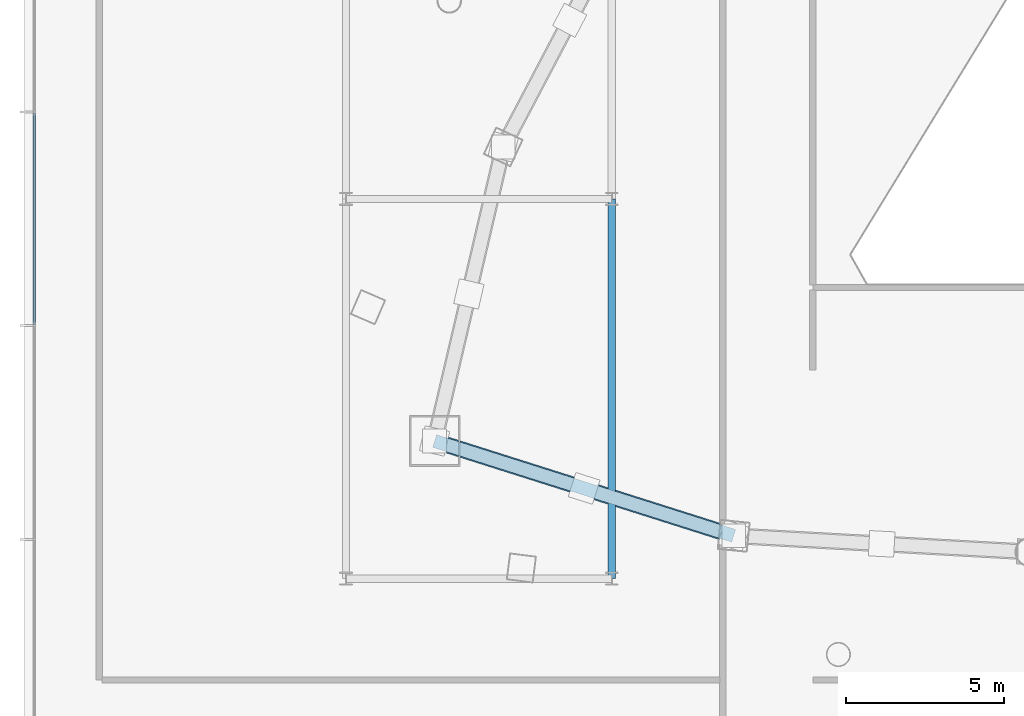
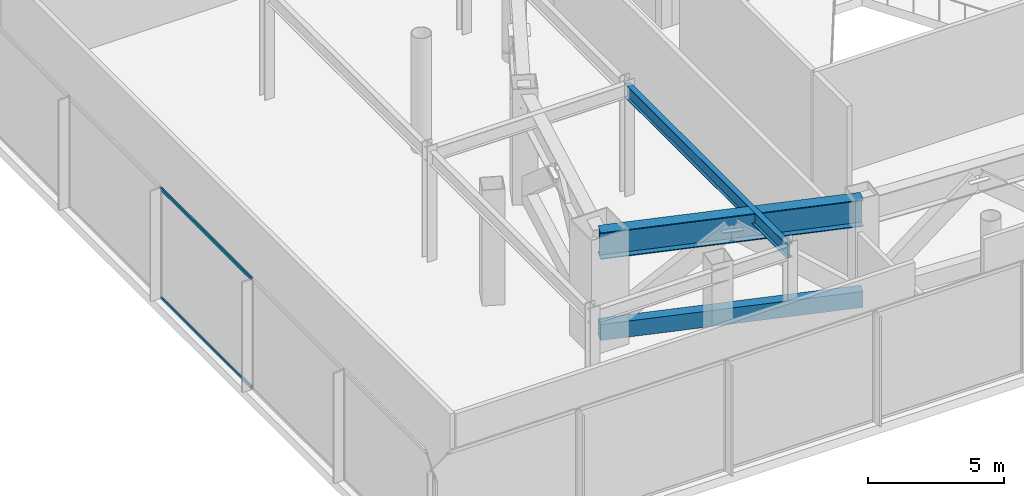
# One storey, part 7 of 43: 3 members, 2 beams, 1 element without a shape of its own.
"""IFC4 building model written with IfcOpenShell, lengths in metres."""

from ifc_helpers import new_model, si_unit, direction, frame, origin, origin_2d, place, context, subcontext, project, spatial, hollow_rectangle, i_section, extrude, material, layer, layer_set, material_profile, profile_set, type_object, element, aggregate, save


model = new_model("IFC4")

# Units and contexts
model_context = context("Model", 3, precision=1e-05, world=origin(), true_north=direction((0.0, 1.0)))
body_context = subcontext(model_context, "Body", "Model", "MODEL_VIEW")
ifc_project = project(units=[si_unit("LENGTHUNIT", "METRE"), si_unit("AREAUNIT", "SQUARE_METRE"), si_unit("VOLUMEUNIT", "CUBIC_METRE"), si_unit("PLANEANGLEUNIT", "RADIAN"), si_unit("MASSUNIT", "GRAM", prefix="KILO")], contexts=[model_context])

# Site, building, storey
site_placement = place(None, origin())
site = spatial("IfcSite", under=ifc_project, at=site_placement, CompositionType="ELEMENT")
building_placement = place(site_placement, origin())
building = spatial("IfcBuilding", under=site, at=building_placement, Name="Orvanel Arch Residences", CompositionType="ELEMENT")
storey_placement = place(building_placement, frame((0.0, 0.0, 18.39990234375)))
storey = spatial("IfcBuildingStorey", under=building, at=storey_placement, Name="L04", CompositionType="ELEMENT", Elevation=18.39990234375)

# Beam
ifc_material_1 = material(Name="Structural steel AS/NZS 3679.1 Grade 300 (300 MPa)", Category="steel")
ifc_material_profile_1 = material_profile(ifc_material_1, i_section(OverallWidth=0.22900390625, OverallDepth=0.612060546875, WebThickness=0.011962890625, FlangeThickness=0.01953125, at=origin_2d()), Name="610UB125")
ifc_profile_set_1 = profile_set([ifc_material_profile_1], Name="Structural steel AS/NZS 3679.1 Grade 300 (300 MPa)")
beam_type_1 = type_object("IfcBeamType", Name="BG-610UB", PredefinedType="BEAM", material=ifc_profile_set_1)
beam_1_placement = place(storey_placement, frame((19.800048828125, 6.0, 4.654052734375), z_axis=(0.0, 1.0, 0.0), x_axis=(-1.0, 0.0, 0.0)))
element("IfcBeam", 1, at=beam_1_placement, inside=storey, type_object=beam_type_1, Name="L04 North-South Podium Girder XW20-S", PredefinedType="BEAM", context=body_context, shape_type="SweptSolid", body=[
    extrude(i_section(OverallWidth=0.22900390625, OverallDepth=0.612060546875, WebThickness=0.011962890625, FlangeThickness=0.01953125, at=origin_2d()), origin(), (0.0, 0.0, 1.0), 12.0),
])

# Member
ifc_material_2 = material(Name="Structural steel AS/NZS 3678 Grade 350", Category="steel")
ifc_material_profile_2 = material_profile(ifc_material_2, hollow_rectangle(XDim=0.419921875, YDim=0.719970703125, WallThickness=0.02490234375, at=origin_2d()), Name="RHS720x420x25")
ifc_profile_set_2 = profile_set([ifc_material_profile_2], Name="Structural steel AS/NZS 3678 Grade 350")
member_type_1 = type_object("IfcMemberType", Name="CH-720RHS", PredefinedType="CHORD", material=ifc_profile_set_2)
member_1_placement = place(storey_placement, frame((14.198974609375, 10.35107421875, 0.4501953125), z_axis=(0.953237386592, -0.302222574941, 0.0), x_axis=(0.302222574941, 0.953237386592, 0.0)))
element("IfcMember", 2, at=member_1_placement, inside=storey, type_object=member_type_1, Name="L04 Transfer Truss Bottom Chord 01", PredefinedType="CHORD", context=body_context, shape_type="SweptSolid", body=[
    extrude(hollow_rectangle(XDim=0.419921875, YDim=0.719970703125, WallThickness=0.02490234375, at=origin_2d()), origin(), (0.0, 0.0, 1.0), 9.91357421875),
])

# Beam
ifc_material_profile_3 = material_profile(ifc_material_2, i_section(OverallWidth=0.5, OverallDepth=1.199951171875, WebThickness=0.02001953125, FlangeThickness=0.035888671875, at=origin_2d()), Name="1200WB455")
ifc_profile_set_3 = profile_set([ifc_material_profile_3], Name="Structural steel AS/NZS 3678 Grade 350")
beam_type_2 = type_object("IfcBeamType", Name="TG-1200WB", PredefinedType="USERDEFINED", material=ifc_profile_set_3)
beam_2_placement = place(storey_placement, frame((14.198974609375, 10.35107421875, 4.360107421875), z_axis=(0.953237386592, -0.302222574941, 0.0), x_axis=(0.302222574941, 0.953237386592, 0.0)))
element("IfcBeam", 3, at=beam_2_placement, inside=storey, type_object=beam_type_2, Name="L04 Podium Transfer Belt Girder 01", ObjectType="TRANSFER GIRDER", PredefinedType="USERDEFINED", context=body_context, shape_type="SweptSolid", body=[
    extrude(i_section(OverallWidth=0.5, OverallDepth=1.199951171875, WebThickness=0.02001953125, FlangeThickness=0.035888671875, at=origin_2d()), origin(), (0.0, 0.0, 1.0), 9.91357421875),
])

# Curtain wall, members
ifc_material_3 = material(Name="Bronze-anodised aluminium AA6063-T6", Category="aluminium")
ifc_layer = layer(ifc_material_3, 0.199951171875)
ifc_layer_set = layer_set([ifc_layer], Name="Bronze-anodised aluminium AA6063-T6")
curtain_wall_type = type_object("IfcCurtainWallType", Name="CW1-POD-SYS", PredefinedType="NOTDEFINED", material=ifc_layer_set)
curtain_wall_placement = place(storey_placement, origin())
curtain_wall = element("IfcCurtainWall", 4, at=curtain_wall_placement, inside=storey, type_object=curtain_wall_type, Name="L04 CW1-POD-SYS Unitised Curtain Wall", PredefinedType="NOTDEFINED")
ifc_material_profile_4 = material_profile(ifc_material_3, hollow_rectangle(XDim=0.06494140625, YDim=0.14990234375, WallThickness=0.00390625, at=origin_2d()), Name="ALU150x65x4")
ifc_profile_set_4 = profile_set([ifc_material_profile_4], Name="Bronze-anodised aluminium AA6063-T6")
member_type_2 = type_object("IfcMemberType", Name="TRN-150x65", PredefinedType="USERDEFINED", material=ifc_profile_set_4)
member_2_placement = place(storey_placement, frame((1.550048828125, 20.7099609375, 0.03271484375), z_axis=(0.0, -1.0, 0.0), x_axis=(1.0, 0.0, 0.0)))
member_2 = element("IfcMember", 5, at=member_2_placement, type_object=member_type_2, Name="CW-S1 transom 6.1", ObjectType="TRANSOM", PredefinedType="USERDEFINED", context=body_context, shape_type="SweptSolid", body=[
    extrude(hollow_rectangle(XDim=0.06494140625, YDim=0.14990234375, WallThickness=0.00390625, at=origin_2d()), origin(), (0.0, 0.0, 1.0), 6.677490234375),
])
member_3_placement = place(storey_placement, frame((1.550048828125, 20.7099609375, 4.927490234375), z_axis=(0.0, -1.0, 0.0), x_axis=(1.0, 0.0, 0.0)))
member_3 = element("IfcMember", 6, at=member_3_placement, type_object=member_type_2, Name="CW-S1 transom 6.2", ObjectType="TRANSOM", PredefinedType="USERDEFINED", context=body_context, shape_type="SweptSolid", body=[
    extrude(hollow_rectangle(XDim=0.06494140625, YDim=0.14990234375, WallThickness=0.00390625, at=origin_2d()), origin(), (0.0, 0.0, 1.0), 6.677490234375),
])
aggregate(curtain_wall, [member_2, member_3])

save(model, "model.ifc")
